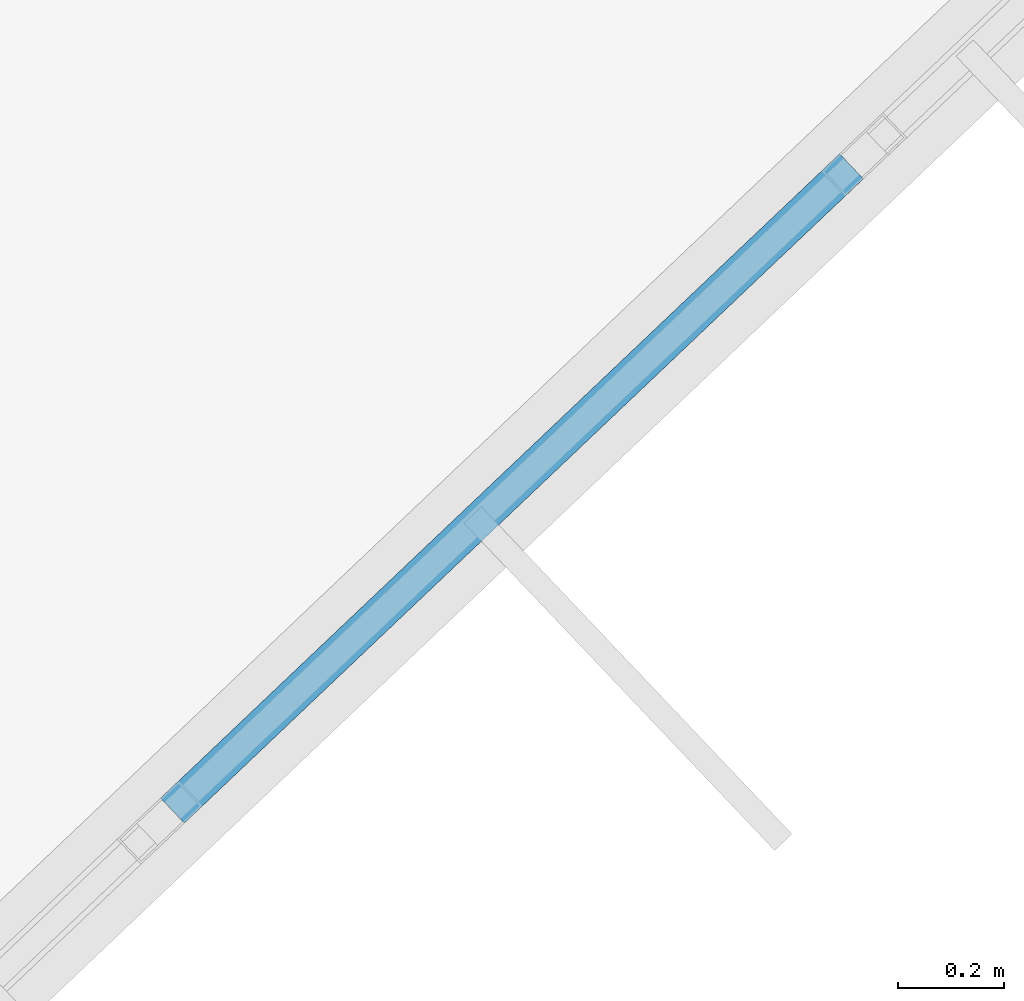
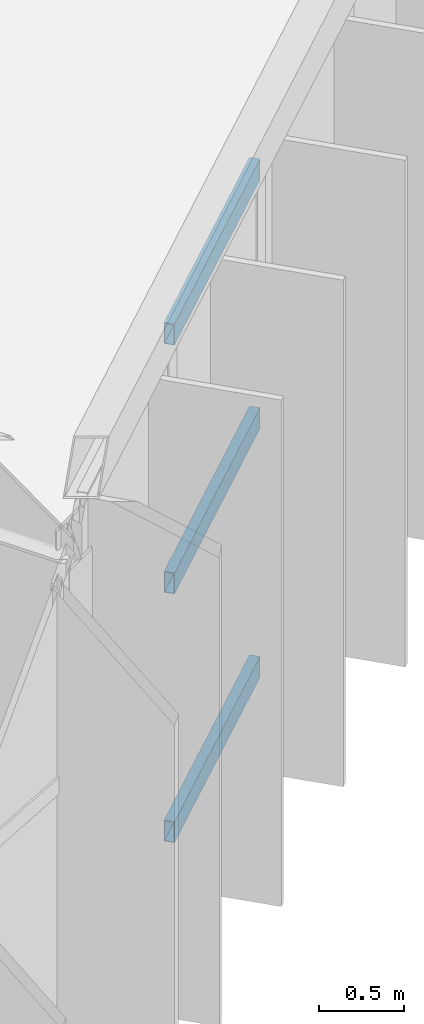
# One storey, part 56 of 157: 3 members, 1 element without a shape of its own.
"""IFC4 building model written with IfcOpenShell, lengths in metres."""

from ifc_helpers import new_model, si_unit, direction, frame, origin, origin_2d, place, context, subcontext, project, spatial, hollow_rectangle, extrude, material, material_profile, profile_set, type_object, element, aggregate, save


model = new_model("IFC4")

# Units and contexts
model_context = context("Model", 3, precision=1e-05, world=origin(), true_north=direction((0.0, 1.0)))
body_context = subcontext(model_context, "Body", "Model", "MODEL_VIEW")
ifc_project = project(units=[si_unit("LENGTHUNIT", "METRE"), si_unit("AREAUNIT", "SQUARE_METRE"), si_unit("VOLUMEUNIT", "CUBIC_METRE"), si_unit("PLANEANGLEUNIT", "RADIAN"), si_unit("MASSUNIT", "GRAM", prefix="KILO")], contexts=[model_context])

# Site, building, storey
site_placement = place(None, origin())
site = spatial("IfcSite", under=ifc_project, at=site_placement, CompositionType="ELEMENT")
building_placement = place(site_placement, origin())
building = spatial("IfcBuilding", under=site, at=building_placement, Name="Karori Crest Natural Sciences Institute", CompositionType="ELEMENT")
storey_placement = place(building_placement, frame((0.0, 0.0, 13.300048828125)))
storey = spatial("IfcBuildingStorey", under=building, at=storey_placement, Name="L03", CompositionType="ELEMENT", Elevation=13.300048828125)

# Curtain wall, members
ifc_material = material(Name="Anodised architectural aluminium 6063-T6", Category="aluminium")
curtain_wall_type = type_object("IfcCurtainWallType", Name="CWT-01", PredefinedType="NOTDEFINED", material=ifc_material)
curtain_wall_placement = place(storey_placement, origin())
curtain_wall = element("IfcCurtainWall", 1, at=curtain_wall_placement, inside=storey, type_object=curtain_wall_type, Name="Curtain wall CW-0130", PredefinedType="NOTDEFINED")
ifc_material_profile = material_profile(ifc_material, hollow_rectangle(XDim=0.06494140625, YDim=0.14990234375, WallThickness=0.00390625, at=origin_2d()), Name="CWT150x65x4")
ifc_profile_set = profile_set([ifc_material_profile], Name="Anodised architectural aluminium 6063-T6")
member_type = type_object("IfcMemberType", Name="CWT-TR2", PredefinedType="USERDEFINED", material=ifc_profile_set)
member_1_placement = place(storey_placement, frame((85.60498046875, 17.13232421875, 0.032470703125), z_axis=(-0.725483196334, -0.688239879575, 0.0), x_axis=(0.688239879575, -0.725483196334, 0.0)))
member_1 = element("IfcMember", 2, at=member_1_placement, type_object=member_type, Name="CW-0130 transom 4.1", ObjectType="TRANSOM", PredefinedType="USERDEFINED", context=body_context, shape_type="SweptSolid", body=[
    extrude(hollow_rectangle(XDim=0.06494140625, YDim=0.14990234375, WallThickness=0.00390625, at=origin_2d()), origin(), (0.0, 0.0, 1.0), 1.763427734375),
])
member_2_placement = place(storey_placement, frame((85.60498046875, 17.13232421875, 1.8125), z_axis=(-0.725483196334, -0.688239879575, 0.0), x_axis=(0.688239879575, -0.725483196334, 0.0)))
member_2 = element("IfcMember", 3, at=member_2_placement, type_object=member_type, Name="CW-0130 transom 4.2", ObjectType="TRANSOM", PredefinedType="USERDEFINED", context=body_context, shape_type="SweptSolid", body=[
    extrude(hollow_rectangle(XDim=0.06494140625, YDim=0.14990234375, WallThickness=0.00390625, at=origin_2d()), origin(), (0.0, 0.0, 1.0), 1.763427734375),
])
member_3_placement = place(storey_placement, frame((85.60498046875, 17.13232421875, 3.592529296875), z_axis=(-0.725483196334, -0.688239879575, 0.0), x_axis=(0.688239879575, -0.725483196334, 0.0)))
member_3 = element("IfcMember", 4, at=member_3_placement, type_object=member_type, Name="CW-0130 transom 4.3", ObjectType="TRANSOM", PredefinedType="USERDEFINED", context=body_context, shape_type="SweptSolid", body=[
    extrude(hollow_rectangle(XDim=0.06494140625, YDim=0.14990234375, WallThickness=0.00390625, at=origin_2d()), origin(), (0.0, 0.0, 1.0), 1.763427734375),
])
aggregate(curtain_wall, [member_1, member_2, member_3])

save(model, "model.ifc")
